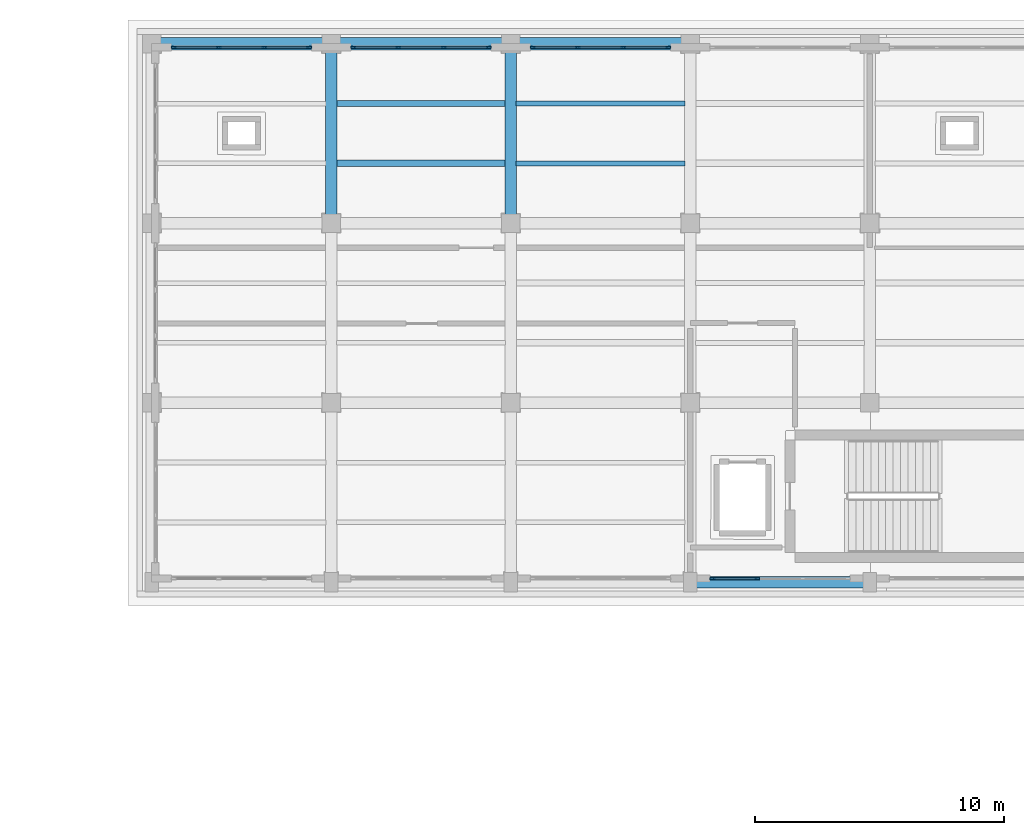
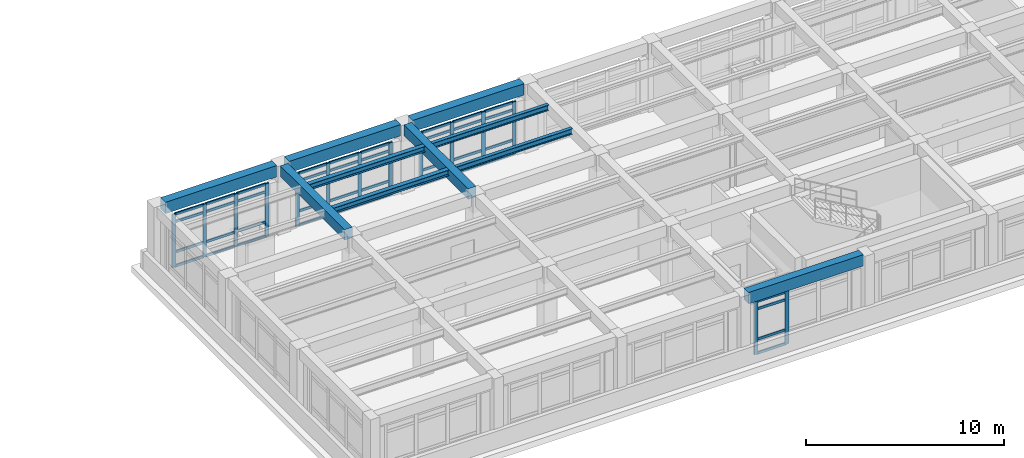
# One storey, part 24 of 67: 54 members, 10 beams, 4 elements without a shape of their own.
"""IFC4 building model written with IfcOpenShell, lengths in metres."""

from ifc_helpers import new_model, si_unit, direction, frame, origin, origin_2d, place, context, subcontext, project, spatial, rectangle, i_section, extrude, material, layer, layer_set, material_profile, profile_set, type_object, element, aggregate, save


model = new_model("IFC4")

# Units and contexts
model_context = context("Model", 3, precision=1e-05, world=origin(), true_north=direction((0.0, 1.0)))
body_context = subcontext(model_context, "Body", "Model", "MODEL_VIEW")
ifc_project = project(units=[si_unit("LENGTHUNIT", "METRE"), si_unit("AREAUNIT", "SQUARE_METRE"), si_unit("VOLUMEUNIT", "CUBIC_METRE"), si_unit("PLANEANGLEUNIT", "RADIAN"), si_unit("MASSUNIT", "GRAM", prefix="KILO")], contexts=[model_context])

# Site, building, storey
site_placement = place(None, origin())
site = spatial("IfcSite", under=ifc_project, at=site_placement, CompositionType="ELEMENT")
building_placement = place(site_placement, origin())
building = spatial("IfcBuilding", under=site, at=building_placement, Name="Solenvale Faculty of Natural Sciences", CompositionType="ELEMENT")
storey_placement = place(building_placement, frame((0.0, 0.0, 13.5)))
storey = spatial("IfcBuildingStorey", under=building, at=storey_placement, Name="L03", CompositionType="ELEMENT", Elevation=13.5)

# Beams
ifc_material_1 = material(Name="Concrete 40 MPa", Category="concrete")
ifc_material_profile_1 = material_profile(ifc_material_1, rectangle(XDim=0.449951171875, YDim=0.64990234375, at=origin_2d()), Name="RC-BM-450x650")
ifc_profile_set_1 = profile_set([ifc_material_profile_1], Name="Concrete 40 MPa")
beam_type_1 = type_object("IfcBeamType", Name="BM-RC-450x650", PredefinedType="BEAM", material=ifc_profile_set_1)
for number, where, z_axis, x_axis, name in (
    (1, (86.39990234375, 108.35498046875, 3.89501953125), (0.0, 1.0, 0.0), (-1.0, 0.0, 0.0), "L03 Y-Girder X86.4 (108.0..115.2)"),
    (2, (93.60009765625, 108.35498046875, 3.89501953125), (0.0, 1.0, 0.0), (-1.0, 0.0, 0.0), "L03 Y-Girder X93.6 (108.0..115.2)"),
):
    element("IfcBeam", number, at=place(storey_placement, frame(where, z_axis=z_axis, x_axis=x_axis)), inside=storey, type_object=beam_type_1, Name=name, PredefinedType="BEAM", context=body_context, shape_type="SweptSolid", body=[
        extrude(rectangle(XDim=0.449951171875, YDim=0.64990234375, at=origin_2d()), origin(), (0.0, 0.0, 1.0), 6.489990234375),
    ])
ifc_material_profile_2 = material_profile(ifc_material_1, rectangle(XDim=0.449951171875, YDim=0.699951171875, at=origin_2d()), Name="RC-BM-450x700")
ifc_profile_set_2 = profile_set([ifc_material_profile_2], Name="Concrete 40 MPa")
beam_type_2 = type_object("IfcBeamType", Name="BM-RC-450x700", PredefinedType="BEAM", material=ifc_profile_set_2)
beam_1_placement = place(storey_placement, frame((101.054931640625, 93.60009765625, 3.8701171875), z_axis=(1.0, 0.0, 0.0), x_axis=(0.0, 1.0, 0.0)))
element("IfcBeam", 3, at=beam_1_placement, inside=storey, type_object=beam_type_2, Name="L03 X-Girder Y93.6 (100.8..108.0)", PredefinedType="BEAM", context=body_context, shape_type="SweptSolid", body=[
    extrude(rectangle(XDim=0.449951171875, YDim=0.699951171875, at=origin_2d()), origin(), (0.0, 0.0, 1.0), 6.690185546875),
])
ifc_material_2 = material(Name="Precast concrete 40 MPa", Category="concrete")
ifc_material_profile_3 = material_profile(ifc_material_2, rectangle(XDim=0.5, YDim=0.699951171875, at=origin_2d()), Name="RC-BM-500x700")
ifc_profile_set_3 = profile_set([ifc_material_profile_3], Name="Precast concrete 40 MPa")
beam_type_3 = type_object("IfcBeamType", Name="BM-SPN-PRC-700", PredefinedType="SPANDREL", material=ifc_profile_set_3)
beam_2_placement = place(storey_placement, frame((79.554931640625, 115.199951171875, 3.8701171875), z_axis=(1.0, 0.0, 0.0), x_axis=(0.0, 1.0, 0.0)))
element("IfcBeam", 4, at=beam_2_placement, inside=storey, type_object=beam_type_3, Name="L03 X-Girder Y115.2 (79.2..86.4)", PredefinedType="SPANDREL", context=body_context, shape_type="SweptSolid", body=[
    extrude(rectangle(XDim=0.5, YDim=0.699951171875, at=origin_2d()), origin(), (0.0, 0.0, 1.0), 6.489990234375),
])
beam_3_placement = place(storey_placement, frame((86.7548828125, 115.199951171875, 3.8701171875), z_axis=(1.0, 0.0, 0.0), x_axis=(0.0, 1.0, 0.0)))
element("IfcBeam", 5, at=beam_3_placement, inside=storey, type_object=beam_type_3, Name="L03 X-Girder Y115.2 (86.4..93.6)", PredefinedType="SPANDREL", context=body_context, shape_type="SweptSolid", body=[
    extrude(rectangle(XDim=0.5, YDim=0.699951171875, at=origin_2d()), origin(), (0.0, 0.0, 1.0), 6.490234375),
])
beam_4_placement = place(storey_placement, frame((93.955078125, 115.199951171875, 3.8701171875), z_axis=(1.0, 0.0, 0.0), x_axis=(0.0, 1.0, 0.0)))
element("IfcBeam", 6, at=beam_4_placement, inside=storey, type_object=beam_type_3, Name="L03 X-Girder Y115.2 (93.6..100.8)", PredefinedType="SPANDREL", context=body_context, shape_type="SweptSolid", body=[
    extrude(rectangle(XDim=0.5, YDim=0.699951171875, at=origin_2d()), origin(), (0.0, 0.0, 1.0), 6.489990234375),
])
ifc_material_3 = material(Name="Steel S355", Category="steel")
ifc_material_profile_4 = material_profile(ifc_material_3, i_section(OverallWidth=0.2548828125, OverallDepth=0.35693359375, WebThickness=0.010498046875, FlangeThickness=0.018310546875, FilletRadius=0.014892578125, at=origin_2d()), Name="W360x101")
ifc_profile_set_4 = profile_set([ifc_material_profile_4], Name="Steel S355")
beam_type_4 = type_object("IfcBeamType", Name="BM-STL-W360x101", PredefinedType="JOIST", material=ifc_profile_set_4)
for number, where, z_axis, x_axis, name in (
    (7, (86.60498046875, 110.39990234375, 4.04150390625), (1.0, 0.0, 0.0), (0.0, 1.0, 0.0), "L03 Composite Floor Joist (13,16).1"),
    (8, (86.60498046875, 112.800048828125, 4.04150390625), (1.0, 0.0, 0.0), (0.0, 1.0, 0.0), "L03 Composite Floor Joist (13,16).2"),
):
    element("IfcBeam", number, at=place(storey_placement, frame(where, z_axis=z_axis, x_axis=x_axis)), inside=storey, type_object=beam_type_4, Name=name, PredefinedType="JOIST", context=body_context, shape_type="SweptSolid", body=[
        extrude(i_section(OverallWidth=0.2548828125, OverallDepth=0.35693359375, WebThickness=0.010498046875, FlangeThickness=0.018310546875, FilletRadius=0.014892578125, at=origin_2d()), origin(), (0.0, 0.0, 1.0), 6.7900390625),
    ])
ifc_material_profile_5 = material_profile(ifc_material_3, i_section(OverallWidth=0.2041015625, OverallDepth=0.35009765625, WebThickness=0.008544921875, FlangeThickness=0.01513671875, FilletRadius=0.014892578125, at=origin_2d()), Name="W360x72")
ifc_profile_set_5 = profile_set([ifc_material_profile_5], Name="Steel S355")
beam_type_5 = type_object("IfcBeamType", Name="BM-STL-W360x72", PredefinedType="JOIST", material=ifc_profile_set_5)
for number, where, z_axis, x_axis, name in (
    (9, (93.804931640625, 110.39990234375, 4.044921875), (1.0, 0.0, 0.0), (0.0, 1.0, 0.0), "L03 Composite Floor Joist (14,16).1"),
    (10, (93.804931640625, 112.800048828125, 4.044921875), (1.0, 0.0, 0.0), (0.0, 1.0, 0.0), "L03 Composite Floor Joist (14,16).2"),
):
    element("IfcBeam", number, at=place(storey_placement, frame(where, z_axis=z_axis, x_axis=x_axis)), inside=storey, type_object=beam_type_5, Name=name, PredefinedType="JOIST", context=body_context, shape_type="SweptSolid", body=[
        extrude(i_section(OverallWidth=0.2041015625, OverallDepth=0.35009765625, WebThickness=0.008544921875, FlangeThickness=0.01513671875, FilletRadius=0.014892578125, at=origin_2d()), origin(), (0.0, 0.0, 1.0), 6.7900390625),
    ])

# Curtain wall, members
ifc_material_4 = material(Name="Anodised bronze aluminium", Category="aluminium")
ifc_layer = layer(ifc_material_4, 0.179931640625)
ifc_layer_set = layer_set([ifc_layer], Name="Anodised bronze aluminium")
curtain_wall_type = type_object("IfcCurtainWallType", Name="CW-TWR-MOD", PredefinedType="USERDEFINED", material=ifc_layer_set)
curtain_wall_1_placement = place(storey_placement, origin())
curtain_wall_1 = element("IfcCurtainWall", 11, at=curtain_wall_1_placement, inside=storey, type_object=curtain_wall_type, Name="L03 Curtain Wall CW-L03-P3-E4-B8", ObjectType="UNITISED CURTAIN WALL", PredefinedType="USERDEFINED")
ifc_material_profile_6 = material_profile(ifc_material_4, rectangle(XDim=0.074951171875, YDim=0.2099609375, at=origin_2d()), Name="ALU-MUL-75x210")
ifc_profile_set_6 = profile_set([ifc_material_profile_6], Name="Anodised bronze aluminium")
member_type_1 = type_object("IfcMemberType", Name="CWM-ALU-75x210", PredefinedType="MULLION", material=ifc_profile_set_6)
member_1_placement = place(storey_placement, frame((99.91259765625, 115.0576171875, 0.0), z_axis=(0.0, 0.0, 1.0), x_axis=(0.0, -1.0, 0.0)))
member_1 = element("IfcMember", 12, at=member_1_placement, type_object=member_type_1, Name="CW-04 mullion 1", PredefinedType="MULLION", context=body_context, shape_type="SweptSolid", body=[
    extrude(rectangle(XDim=0.074951171875, YDim=0.2099609375, at=origin_2d()), origin(), (0.0, 0.0, 1.0), 3.260009765625),
])
member_2_placement = place(storey_placement, frame((98.11669921875, 115.0576171875, 0.0), z_axis=(0.0, 0.0, 1.0), x_axis=(0.0, -1.0, 0.0)))
member_2 = element("IfcMember", 13, at=member_2_placement, type_object=member_type_1, Name="CW-04 mullion 2", PredefinedType="MULLION", context=body_context, shape_type="SweptSolid", body=[
    extrude(rectangle(XDim=0.074951171875, YDim=0.2099609375, at=origin_2d()), origin(), (0.0, 0.0, 1.0), 3.260009765625),
])
member_3_placement = place(storey_placement, frame((96.283447265625, 115.0576171875, 0.0), z_axis=(0.0, 0.0, 1.0), x_axis=(0.0, -1.0, 0.0)))
member_3 = element("IfcMember", 14, at=member_3_placement, type_object=member_type_1, Name="CW-04 mullion 3", PredefinedType="MULLION", context=body_context, shape_type="SweptSolid", body=[
    extrude(rectangle(XDim=0.074951171875, YDim=0.2099609375, at=origin_2d()), origin(), (0.0, 0.0, 1.0), 3.260009765625),
])
member_4_placement = place(storey_placement, frame((94.487548828125, 115.0576171875, 0.0), z_axis=(0.0, 0.0, 1.0), x_axis=(0.0, -1.0, 0.0)))
member_4 = element("IfcMember", 15, at=member_4_placement, type_object=member_type_1, Name="CW-04 mullion 4", PredefinedType="MULLION", context=body_context, shape_type="SweptSolid", body=[
    extrude(rectangle(XDim=0.074951171875, YDim=0.2099609375, at=origin_2d()), origin(), (0.0, 0.0, 1.0), 3.260009765625),
])

curtain_wall_2_placement = place(storey_placement, origin())
curtain_wall_2 = element("IfcCurtainWall", 16, at=curtain_wall_2_placement, inside=storey, type_object=curtain_wall_type, Name="L03 Curtain Wall CW-L03-P3-E4-B9", ObjectType="UNITISED CURTAIN WALL", PredefinedType="USERDEFINED")
member_5_placement = place(storey_placement, frame((92.71240234375, 115.0576171875, 0.0), z_axis=(0.0, 0.0, 1.0), x_axis=(0.0, -1.0, 0.0)))
member_5 = element("IfcMember", 17, at=member_5_placement, type_object=member_type_1, Name="CW-04 mullion 1", PredefinedType="MULLION", context=body_context, shape_type="SweptSolid", body=[
    extrude(rectangle(XDim=0.074951171875, YDim=0.2099609375, at=origin_2d()), origin(), (0.0, 0.0, 1.0), 3.260009765625),
])
member_6_placement = place(storey_placement, frame((90.916748046875, 115.0576171875, 0.0), z_axis=(0.0, 0.0, 1.0), x_axis=(0.0, -1.0, 0.0)))
member_6 = element("IfcMember", 18, at=member_6_placement, type_object=member_type_1, Name="CW-04 mullion 2", PredefinedType="MULLION", context=body_context, shape_type="SweptSolid", body=[
    extrude(rectangle(XDim=0.074951171875, YDim=0.2099609375, at=origin_2d()), origin(), (0.0, 0.0, 1.0), 3.260009765625),
])
member_7_placement = place(storey_placement, frame((89.083251953125, 115.0576171875, 0.0), z_axis=(0.0, 0.0, 1.0), x_axis=(0.0, -1.0, 0.0)))
member_7 = element("IfcMember", 19, at=member_7_placement, type_object=member_type_1, Name="CW-04 mullion 3", PredefinedType="MULLION", context=body_context, shape_type="SweptSolid", body=[
    extrude(rectangle(XDim=0.074951171875, YDim=0.2099609375, at=origin_2d()), origin(), (0.0, 0.0, 1.0), 3.260009765625),
])
member_8_placement = place(storey_placement, frame((87.28759765625, 115.0576171875, 0.0), z_axis=(0.0, 0.0, 1.0), x_axis=(0.0, -1.0, 0.0)))
member_8 = element("IfcMember", 20, at=member_8_placement, type_object=member_type_1, Name="CW-04 mullion 4", PredefinedType="MULLION", context=body_context, shape_type="SweptSolid", body=[
    extrude(rectangle(XDim=0.074951171875, YDim=0.2099609375, at=origin_2d()), origin(), (0.0, 0.0, 1.0), 3.260009765625),
])

curtain_wall_3_placement = place(storey_placement, origin())
curtain_wall_3 = element("IfcCurtainWall", 21, at=curtain_wall_3_placement, inside=storey, type_object=curtain_wall_type, Name="L03 Curtain Wall CW-L03-P3-E4-B10", ObjectType="UNITISED CURTAIN WALL", PredefinedType="USERDEFINED")
member_9_placement = place(storey_placement, frame((85.512451171875, 115.0576171875, 0.0), z_axis=(0.0, 0.0, 1.0), x_axis=(0.0, -1.0, 0.0)))
member_9 = element("IfcMember", 22, at=member_9_placement, type_object=member_type_1, Name="CW-04 mullion 1", PredefinedType="MULLION", context=body_context, shape_type="SweptSolid", body=[
    extrude(rectangle(XDim=0.074951171875, YDim=0.2099609375, at=origin_2d()), origin(), (0.0, 0.0, 1.0), 3.260009765625),
])
member_10_placement = place(storey_placement, frame((83.716552734375, 115.0576171875, 0.0), z_axis=(0.0, 0.0, 1.0), x_axis=(0.0, -1.0, 0.0)))
member_10 = element("IfcMember", 23, at=member_10_placement, type_object=member_type_1, Name="CW-04 mullion 2", PredefinedType="MULLION", context=body_context, shape_type="SweptSolid", body=[
    extrude(rectangle(XDim=0.074951171875, YDim=0.2099609375, at=origin_2d()), origin(), (0.0, 0.0, 1.0), 3.260009765625),
])
member_11_placement = place(storey_placement, frame((81.88330078125, 115.0576171875, 0.0), z_axis=(0.0, 0.0, 1.0), x_axis=(0.0, -1.0, 0.0)))
member_11 = element("IfcMember", 24, at=member_11_placement, type_object=member_type_1, Name="CW-04 mullion 3", PredefinedType="MULLION", context=body_context, shape_type="SweptSolid", body=[
    extrude(rectangle(XDim=0.074951171875, YDim=0.2099609375, at=origin_2d()), origin(), (0.0, 0.0, 1.0), 3.260009765625),
])
member_12_placement = place(storey_placement, frame((80.08740234375, 115.0576171875, 0.0), z_axis=(0.0, 0.0, 1.0), x_axis=(0.0, -1.0, 0.0)))
member_12 = element("IfcMember", 25, at=member_12_placement, type_object=member_type_1, Name="CW-04 mullion 4", PredefinedType="MULLION", context=body_context, shape_type="SweptSolid", body=[
    extrude(rectangle(XDim=0.074951171875, YDim=0.2099609375, at=origin_2d()), origin(), (0.0, 0.0, 1.0), 3.260009765625),
])

curtain_wall_4_placement = place(storey_placement, origin())
curtain_wall_4 = element("IfcCurtainWall", 26, at=curtain_wall_4_placement, inside=storey, type_object=curtain_wall_type, Name="L03 Curtain Wall CW-L03-P3-E6-B4", ObjectType="UNITISED CURTAIN WALL", PredefinedType="USERDEFINED")
member_13_placement = place(storey_placement, frame((101.6875, 93.742431640625, 0.0), z_axis=(0.0, 0.0, 1.0), x_axis=(0.0, 1.0, 0.0)))
member_13 = element("IfcMember", 27, at=member_13_placement, type_object=member_type_1, Name="CW-04 mullion 1", PredefinedType="MULLION", context=body_context, shape_type="SweptSolid", body=[
    extrude(rectangle(XDim=0.074951171875, YDim=0.2099609375, at=origin_2d()), origin(), (0.0, 0.0, 1.0), 3.260009765625),
])
member_14_placement = place(storey_placement, frame((103.4833984375, 93.742431640625, 0.0), z_axis=(0.0, 0.0, 1.0), x_axis=(0.0, 1.0, 0.0)))
member_14 = element("IfcMember", 28, at=member_14_placement, type_object=member_type_1, Name="CW-04 mullion 2", PredefinedType="MULLION", context=body_context, shape_type="SweptSolid", body=[
    extrude(rectangle(XDim=0.074951171875, YDim=0.2099609375, at=origin_2d()), origin(), (0.0, 0.0, 1.0), 3.260009765625),
])

# Member
ifc_material_profile_7 = material_profile(ifc_material_4, rectangle(XDim=0.074951171875, YDim=0.155029296875, at=origin_2d()), Name="ALU-TRN-75x155")
ifc_profile_set_7 = profile_set([ifc_material_profile_7], Name="Anodised bronze aluminium")
member_type_2 = type_object("IfcMemberType", Name="CWT-ALU-75x155", PredefinedType="USERDEFINED", material=ifc_profile_set_7)
member_15_placement = place(storey_placement, frame((99.875, 115.0576171875, 0.03759765625), z_axis=(-1.0, 0.0, 0.0), x_axis=(0.0, -1.0, 0.0)))
member_15 = element("IfcMember", 29, at=member_15_placement, type_object=member_type_2, Name="CW-04 transom 1.1", ObjectType="TRANSOM", PredefinedType="USERDEFINED", context=body_context, shape_type="SweptSolid", body=[
    extrude(rectangle(XDim=0.074951171875, YDim=0.155029296875, at=origin_2d()), origin(), (0.0, 0.0, 1.0), 1.720947265625),
])

member_16_placement = place(storey_placement, frame((99.875, 115.0576171875, 0.89990234375), z_axis=(-1.0, 0.0, 0.0), x_axis=(0.0, -1.0, 0.0)))
member_16 = element("IfcMember", 30, at=member_16_placement, type_object=member_type_2, Name="CW-04 transom 1.2", ObjectType="TRANSOM", PredefinedType="USERDEFINED", context=body_context, shape_type="SweptSolid", body=[
    extrude(rectangle(XDim=0.074951171875, YDim=0.155029296875, at=origin_2d()), origin(), (0.0, 0.0, 1.0), 1.720947265625),
])

member_17_placement = place(storey_placement, frame((99.875, 115.0576171875, 2.760009765625), z_axis=(-1.0, 0.0, 0.0), x_axis=(0.0, -1.0, 0.0)))
member_17 = element("IfcMember", 31, at=member_17_placement, type_object=member_type_2, Name="CW-04 transom 1.3", ObjectType="TRANSOM", PredefinedType="USERDEFINED", context=body_context, shape_type="SweptSolid", body=[
    extrude(rectangle(XDim=0.074951171875, YDim=0.155029296875, at=origin_2d()), origin(), (0.0, 0.0, 1.0), 1.720947265625),
])

member_18_placement = place(storey_placement, frame((99.875, 115.0576171875, 3.222412109375), z_axis=(-1.0, 0.0, 0.0), x_axis=(0.0, -1.0, 0.0)))
member_18 = element("IfcMember", 32, at=member_18_placement, type_object=member_type_2, Name="CW-04 transom 1.4", ObjectType="TRANSOM", PredefinedType="USERDEFINED", context=body_context, shape_type="SweptSolid", body=[
    extrude(rectangle(XDim=0.074951171875, YDim=0.155029296875, at=origin_2d()), origin(), (0.0, 0.0, 1.0), 1.720947265625),
])

member_19_placement = place(storey_placement, frame((98.0791015625, 115.0576171875, 0.03759765625), z_axis=(-1.0, 0.0, 0.0), x_axis=(0.0, -1.0, 0.0)))
member_19 = element("IfcMember", 33, at=member_19_placement, type_object=member_type_2, Name="CW-04 transom 2.1", ObjectType="TRANSOM", PredefinedType="USERDEFINED", context=body_context, shape_type="SweptSolid", body=[
    extrude(rectangle(XDim=0.074951171875, YDim=0.155029296875, at=origin_2d()), origin(), (0.0, 0.0, 1.0), 1.75830078125),
])

member_20_placement = place(storey_placement, frame((98.0791015625, 115.0576171875, 0.89990234375), z_axis=(-1.0, 0.0, 0.0), x_axis=(0.0, -1.0, 0.0)))
member_20 = element("IfcMember", 34, at=member_20_placement, type_object=member_type_2, Name="CW-04 transom 2.2", ObjectType="TRANSOM", PredefinedType="USERDEFINED", context=body_context, shape_type="SweptSolid", body=[
    extrude(rectangle(XDim=0.074951171875, YDim=0.155029296875, at=origin_2d()), origin(), (0.0, 0.0, 1.0), 1.75830078125),
])

member_21_placement = place(storey_placement, frame((98.0791015625, 115.0576171875, 2.760009765625), z_axis=(-1.0, 0.0, 0.0), x_axis=(0.0, -1.0, 0.0)))
member_21 = element("IfcMember", 35, at=member_21_placement, type_object=member_type_2, Name="CW-04 transom 2.3", ObjectType="TRANSOM", PredefinedType="USERDEFINED", context=body_context, shape_type="SweptSolid", body=[
    extrude(rectangle(XDim=0.074951171875, YDim=0.155029296875, at=origin_2d()), origin(), (0.0, 0.0, 1.0), 1.75830078125),
])

member_22_placement = place(storey_placement, frame((98.0791015625, 115.0576171875, 3.222412109375), z_axis=(-1.0, 0.0, 0.0), x_axis=(0.0, -1.0, 0.0)))
member_22 = element("IfcMember", 36, at=member_22_placement, type_object=member_type_2, Name="CW-04 transom 2.4", ObjectType="TRANSOM", PredefinedType="USERDEFINED", context=body_context, shape_type="SweptSolid", body=[
    extrude(rectangle(XDim=0.074951171875, YDim=0.155029296875, at=origin_2d()), origin(), (0.0, 0.0, 1.0), 1.75830078125),
])

member_23_placement = place(storey_placement, frame((96.245849609375, 115.0576171875, 0.03759765625), z_axis=(-1.0, 0.0, 0.0), x_axis=(0.0, -1.0, 0.0)))
member_23 = element("IfcMember", 37, at=member_23_placement, type_object=member_type_2, Name="CW-04 transom 3.1", ObjectType="TRANSOM", PredefinedType="USERDEFINED", context=body_context, shape_type="SweptSolid", body=[
    extrude(rectangle(XDim=0.074951171875, YDim=0.155029296875, at=origin_2d()), origin(), (0.0, 0.0, 1.0), 1.720947265625),
])

member_24_placement = place(storey_placement, frame((96.245849609375, 115.0576171875, 0.89990234375), z_axis=(-1.0, 0.0, 0.0), x_axis=(0.0, -1.0, 0.0)))
member_24 = element("IfcMember", 38, at=member_24_placement, type_object=member_type_2, Name="CW-04 transom 3.2", ObjectType="TRANSOM", PredefinedType="USERDEFINED", context=body_context, shape_type="SweptSolid", body=[
    extrude(rectangle(XDim=0.074951171875, YDim=0.155029296875, at=origin_2d()), origin(), (0.0, 0.0, 1.0), 1.720947265625),
])

member_25_placement = place(storey_placement, frame((96.245849609375, 115.0576171875, 2.760009765625), z_axis=(-1.0, 0.0, 0.0), x_axis=(0.0, -1.0, 0.0)))
member_25 = element("IfcMember", 39, at=member_25_placement, type_object=member_type_2, Name="CW-04 transom 3.3", ObjectType="TRANSOM", PredefinedType="USERDEFINED", context=body_context, shape_type="SweptSolid", body=[
    extrude(rectangle(XDim=0.074951171875, YDim=0.155029296875, at=origin_2d()), origin(), (0.0, 0.0, 1.0), 1.720947265625),
])

member_26_placement = place(storey_placement, frame((96.245849609375, 115.0576171875, 3.222412109375), z_axis=(-1.0, 0.0, 0.0), x_axis=(0.0, -1.0, 0.0)))
member_26 = element("IfcMember", 40, at=member_26_placement, type_object=member_type_2, Name="CW-04 transom 3.4", ObjectType="TRANSOM", PredefinedType="USERDEFINED", context=body_context, shape_type="SweptSolid", body=[
    extrude(rectangle(XDim=0.074951171875, YDim=0.155029296875, at=origin_2d()), origin(), (0.0, 0.0, 1.0), 1.720947265625),
])

aggregate(curtain_wall_1, [member_1, member_2, member_3, member_4, member_15, member_16, member_17, member_18, member_19, member_20, member_21, member_22, member_23, member_24, member_25, member_26])

member_27_placement = place(storey_placement, frame((92.675048828125, 115.0576171875, 0.03759765625), z_axis=(-1.0, 0.0, 0.0), x_axis=(0.0, -1.0, 0.0)))
member_27 = element("IfcMember", 41, at=member_27_placement, type_object=member_type_2, Name="CW-04 transom 1.1", ObjectType="TRANSOM", PredefinedType="USERDEFINED", context=body_context, shape_type="SweptSolid", body=[
    extrude(rectangle(XDim=0.074951171875, YDim=0.155029296875, at=origin_2d()), origin(), (0.0, 0.0, 1.0), 1.720947265625),
])

member_28_placement = place(storey_placement, frame((92.675048828125, 115.0576171875, 0.89990234375), z_axis=(-1.0, 0.0, 0.0), x_axis=(0.0, -1.0, 0.0)))
member_28 = element("IfcMember", 42, at=member_28_placement, type_object=member_type_2, Name="CW-04 transom 1.2", ObjectType="TRANSOM", PredefinedType="USERDEFINED", context=body_context, shape_type="SweptSolid", body=[
    extrude(rectangle(XDim=0.074951171875, YDim=0.155029296875, at=origin_2d()), origin(), (0.0, 0.0, 1.0), 1.720947265625),
])

member_29_placement = place(storey_placement, frame((92.675048828125, 115.0576171875, 2.760009765625), z_axis=(-1.0, 0.0, 0.0), x_axis=(0.0, -1.0, 0.0)))
member_29 = element("IfcMember", 43, at=member_29_placement, type_object=member_type_2, Name="CW-04 transom 1.3", ObjectType="TRANSOM", PredefinedType="USERDEFINED", context=body_context, shape_type="SweptSolid", body=[
    extrude(rectangle(XDim=0.074951171875, YDim=0.155029296875, at=origin_2d()), origin(), (0.0, 0.0, 1.0), 1.720947265625),
])

member_30_placement = place(storey_placement, frame((92.675048828125, 115.0576171875, 3.222412109375), z_axis=(-1.0, 0.0, 0.0), x_axis=(0.0, -1.0, 0.0)))
member_30 = element("IfcMember", 44, at=member_30_placement, type_object=member_type_2, Name="CW-04 transom 1.4", ObjectType="TRANSOM", PredefinedType="USERDEFINED", context=body_context, shape_type="SweptSolid", body=[
    extrude(rectangle(XDim=0.074951171875, YDim=0.155029296875, at=origin_2d()), origin(), (0.0, 0.0, 1.0), 1.720947265625),
])

member_31_placement = place(storey_placement, frame((90.879150390625, 115.0576171875, 0.03759765625), z_axis=(-1.0, 0.0, 0.0), x_axis=(0.0, -1.0, 0.0)))
member_31 = element("IfcMember", 45, at=member_31_placement, type_object=member_type_2, Name="CW-04 transom 2.1", ObjectType="TRANSOM", PredefinedType="USERDEFINED", context=body_context, shape_type="SweptSolid", body=[
    extrude(rectangle(XDim=0.074951171875, YDim=0.155029296875, at=origin_2d()), origin(), (0.0, 0.0, 1.0), 1.75830078125),
])

member_32_placement = place(storey_placement, frame((90.879150390625, 115.0576171875, 0.89990234375), z_axis=(-1.0, 0.0, 0.0), x_axis=(0.0, -1.0, 0.0)))
member_32 = element("IfcMember", 46, at=member_32_placement, type_object=member_type_2, Name="CW-04 transom 2.2", ObjectType="TRANSOM", PredefinedType="USERDEFINED", context=body_context, shape_type="SweptSolid", body=[
    extrude(rectangle(XDim=0.074951171875, YDim=0.155029296875, at=origin_2d()), origin(), (0.0, 0.0, 1.0), 1.75830078125),
])

member_33_placement = place(storey_placement, frame((90.879150390625, 115.0576171875, 2.760009765625), z_axis=(-1.0, 0.0, 0.0), x_axis=(0.0, -1.0, 0.0)))
member_33 = element("IfcMember", 47, at=member_33_placement, type_object=member_type_2, Name="CW-04 transom 2.3", ObjectType="TRANSOM", PredefinedType="USERDEFINED", context=body_context, shape_type="SweptSolid", body=[
    extrude(rectangle(XDim=0.074951171875, YDim=0.155029296875, at=origin_2d()), origin(), (0.0, 0.0, 1.0), 1.75830078125),
])

member_34_placement = place(storey_placement, frame((90.879150390625, 115.0576171875, 3.222412109375), z_axis=(-1.0, 0.0, 0.0), x_axis=(0.0, -1.0, 0.0)))
member_34 = element("IfcMember", 48, at=member_34_placement, type_object=member_type_2, Name="CW-04 transom 2.4", ObjectType="TRANSOM", PredefinedType="USERDEFINED", context=body_context, shape_type="SweptSolid", body=[
    extrude(rectangle(XDim=0.074951171875, YDim=0.155029296875, at=origin_2d()), origin(), (0.0, 0.0, 1.0), 1.75830078125),
])

member_35_placement = place(storey_placement, frame((89.0458984375, 115.0576171875, 0.03759765625), z_axis=(-1.0, 0.0, 0.0), x_axis=(0.0, -1.0, 0.0)))
member_35 = element("IfcMember", 49, at=member_35_placement, type_object=member_type_2, Name="CW-04 transom 3.1", ObjectType="TRANSOM", PredefinedType="USERDEFINED", context=body_context, shape_type="SweptSolid", body=[
    extrude(rectangle(XDim=0.074951171875, YDim=0.155029296875, at=origin_2d()), origin(), (0.0, 0.0, 1.0), 1.720947265625),
])

member_36_placement = place(storey_placement, frame((89.0458984375, 115.0576171875, 0.89990234375), z_axis=(-1.0, 0.0, 0.0), x_axis=(0.0, -1.0, 0.0)))
member_36 = element("IfcMember", 50, at=member_36_placement, type_object=member_type_2, Name="CW-04 transom 3.2", ObjectType="TRANSOM", PredefinedType="USERDEFINED", context=body_context, shape_type="SweptSolid", body=[
    extrude(rectangle(XDim=0.074951171875, YDim=0.155029296875, at=origin_2d()), origin(), (0.0, 0.0, 1.0), 1.720947265625),
])

member_37_placement = place(storey_placement, frame((89.0458984375, 115.0576171875, 2.760009765625), z_axis=(-1.0, 0.0, 0.0), x_axis=(0.0, -1.0, 0.0)))
member_37 = element("IfcMember", 51, at=member_37_placement, type_object=member_type_2, Name="CW-04 transom 3.3", ObjectType="TRANSOM", PredefinedType="USERDEFINED", context=body_context, shape_type="SweptSolid", body=[
    extrude(rectangle(XDim=0.074951171875, YDim=0.155029296875, at=origin_2d()), origin(), (0.0, 0.0, 1.0), 1.720947265625),
])

member_38_placement = place(storey_placement, frame((89.0458984375, 115.0576171875, 3.222412109375), z_axis=(-1.0, 0.0, 0.0), x_axis=(0.0, -1.0, 0.0)))
member_38 = element("IfcMember", 52, at=member_38_placement, type_object=member_type_2, Name="CW-04 transom 3.4", ObjectType="TRANSOM", PredefinedType="USERDEFINED", context=body_context, shape_type="SweptSolid", body=[
    extrude(rectangle(XDim=0.074951171875, YDim=0.155029296875, at=origin_2d()), origin(), (0.0, 0.0, 1.0), 1.720947265625),
])

aggregate(curtain_wall_2, [member_5, member_6, member_7, member_8, member_27, member_28, member_29, member_30, member_31, member_32, member_33, member_34, member_35, member_36, member_37, member_38])

member_39_placement = place(storey_placement, frame((85.47509765625, 115.0576171875, 0.03759765625), z_axis=(-1.0, 0.0, 0.0), x_axis=(0.0, -1.0, 0.0)))
member_39 = element("IfcMember", 53, at=member_39_placement, type_object=member_type_2, Name="CW-04 transom 1.1", ObjectType="TRANSOM", PredefinedType="USERDEFINED", context=body_context, shape_type="SweptSolid", body=[
    extrude(rectangle(XDim=0.074951171875, YDim=0.155029296875, at=origin_2d()), origin(), (0.0, 0.0, 1.0), 1.720947265625),
])

member_40_placement = place(storey_placement, frame((85.47509765625, 115.0576171875, 0.89990234375), z_axis=(-1.0, 0.0, 0.0), x_axis=(0.0, -1.0, 0.0)))
member_40 = element("IfcMember", 54, at=member_40_placement, type_object=member_type_2, Name="CW-04 transom 1.2", ObjectType="TRANSOM", PredefinedType="USERDEFINED", context=body_context, shape_type="SweptSolid", body=[
    extrude(rectangle(XDim=0.074951171875, YDim=0.155029296875, at=origin_2d()), origin(), (0.0, 0.0, 1.0), 1.720947265625),
])

member_41_placement = place(storey_placement, frame((85.47509765625, 115.0576171875, 2.760009765625), z_axis=(-1.0, 0.0, 0.0), x_axis=(0.0, -1.0, 0.0)))
member_41 = element("IfcMember", 55, at=member_41_placement, type_object=member_type_2, Name="CW-04 transom 1.3", ObjectType="TRANSOM", PredefinedType="USERDEFINED", context=body_context, shape_type="SweptSolid", body=[
    extrude(rectangle(XDim=0.074951171875, YDim=0.155029296875, at=origin_2d()), origin(), (0.0, 0.0, 1.0), 1.720947265625),
])

member_42_placement = place(storey_placement, frame((85.47509765625, 115.0576171875, 3.222412109375), z_axis=(-1.0, 0.0, 0.0), x_axis=(0.0, -1.0, 0.0)))
member_42 = element("IfcMember", 56, at=member_42_placement, type_object=member_type_2, Name="CW-04 transom 1.4", ObjectType="TRANSOM", PredefinedType="USERDEFINED", context=body_context, shape_type="SweptSolid", body=[
    extrude(rectangle(XDim=0.074951171875, YDim=0.155029296875, at=origin_2d()), origin(), (0.0, 0.0, 1.0), 1.720947265625),
])

member_43_placement = place(storey_placement, frame((83.67919921875, 115.0576171875, 0.03759765625), z_axis=(-1.0, 0.0, 0.0), x_axis=(0.0, -1.0, 0.0)))
member_43 = element("IfcMember", 57, at=member_43_placement, type_object=member_type_2, Name="CW-04 transom 2.1", ObjectType="TRANSOM", PredefinedType="USERDEFINED", context=body_context, shape_type="SweptSolid", body=[
    extrude(rectangle(XDim=0.074951171875, YDim=0.155029296875, at=origin_2d()), origin(), (0.0, 0.0, 1.0), 1.75830078125),
])

member_44_placement = place(storey_placement, frame((83.67919921875, 115.0576171875, 0.89990234375), z_axis=(-1.0, 0.0, 0.0), x_axis=(0.0, -1.0, 0.0)))
member_44 = element("IfcMember", 58, at=member_44_placement, type_object=member_type_2, Name="CW-04 transom 2.2", ObjectType="TRANSOM", PredefinedType="USERDEFINED", context=body_context, shape_type="SweptSolid", body=[
    extrude(rectangle(XDim=0.074951171875, YDim=0.155029296875, at=origin_2d()), origin(), (0.0, 0.0, 1.0), 1.75830078125),
])

member_45_placement = place(storey_placement, frame((83.67919921875, 115.0576171875, 2.760009765625), z_axis=(-1.0, 0.0, 0.0), x_axis=(0.0, -1.0, 0.0)))
member_45 = element("IfcMember", 59, at=member_45_placement, type_object=member_type_2, Name="CW-04 transom 2.3", ObjectType="TRANSOM", PredefinedType="USERDEFINED", context=body_context, shape_type="SweptSolid", body=[
    extrude(rectangle(XDim=0.074951171875, YDim=0.155029296875, at=origin_2d()), origin(), (0.0, 0.0, 1.0), 1.75830078125),
])

member_46_placement = place(storey_placement, frame((83.67919921875, 115.0576171875, 3.222412109375), z_axis=(-1.0, 0.0, 0.0), x_axis=(0.0, -1.0, 0.0)))
member_46 = element("IfcMember", 60, at=member_46_placement, type_object=member_type_2, Name="CW-04 transom 2.4", ObjectType="TRANSOM", PredefinedType="USERDEFINED", context=body_context, shape_type="SweptSolid", body=[
    extrude(rectangle(XDim=0.074951171875, YDim=0.155029296875, at=origin_2d()), origin(), (0.0, 0.0, 1.0), 1.75830078125),
])

member_47_placement = place(storey_placement, frame((81.845947265625, 115.0576171875, 0.03759765625), z_axis=(-1.0, 0.0, 0.0), x_axis=(0.0, -1.0, 0.0)))
member_47 = element("IfcMember", 61, at=member_47_placement, type_object=member_type_2, Name="CW-04 transom 3.1", ObjectType="TRANSOM", PredefinedType="USERDEFINED", context=body_context, shape_type="SweptSolid", body=[
    extrude(rectangle(XDim=0.074951171875, YDim=0.155029296875, at=origin_2d()), origin(), (0.0, 0.0, 1.0), 1.720947265625),
])

member_48_placement = place(storey_placement, frame((81.845947265625, 115.0576171875, 0.89990234375), z_axis=(-1.0, 0.0, 0.0), x_axis=(0.0, -1.0, 0.0)))
member_48 = element("IfcMember", 62, at=member_48_placement, type_object=member_type_2, Name="CW-04 transom 3.2", ObjectType="TRANSOM", PredefinedType="USERDEFINED", context=body_context, shape_type="SweptSolid", body=[
    extrude(rectangle(XDim=0.074951171875, YDim=0.155029296875, at=origin_2d()), origin(), (0.0, 0.0, 1.0), 1.720947265625),
])

member_49_placement = place(storey_placement, frame((81.845947265625, 115.0576171875, 2.760009765625), z_axis=(-1.0, 0.0, 0.0), x_axis=(0.0, -1.0, 0.0)))
member_49 = element("IfcMember", 63, at=member_49_placement, type_object=member_type_2, Name="CW-04 transom 3.3", ObjectType="TRANSOM", PredefinedType="USERDEFINED", context=body_context, shape_type="SweptSolid", body=[
    extrude(rectangle(XDim=0.074951171875, YDim=0.155029296875, at=origin_2d()), origin(), (0.0, 0.0, 1.0), 1.720947265625),
])

member_50_placement = place(storey_placement, frame((81.845947265625, 115.0576171875, 3.222412109375), z_axis=(-1.0, 0.0, 0.0), x_axis=(0.0, -1.0, 0.0)))
member_50 = element("IfcMember", 64, at=member_50_placement, type_object=member_type_2, Name="CW-04 transom 3.4", ObjectType="TRANSOM", PredefinedType="USERDEFINED", context=body_context, shape_type="SweptSolid", body=[
    extrude(rectangle(XDim=0.074951171875, YDim=0.155029296875, at=origin_2d()), origin(), (0.0, 0.0, 1.0), 1.720947265625),
])

aggregate(curtain_wall_3, [member_9, member_10, member_11, member_12, member_39, member_40, member_41, member_42, member_43, member_44, member_45, member_46, member_47, member_48, member_49, member_50])

member_51_placement = place(storey_placement, frame((101.72509765625, 93.742431640625, 0.03759765625), z_axis=(1.0, 0.0, 0.0), x_axis=(0.0, 1.0, 0.0)))
member_51 = element("IfcMember", 65, at=member_51_placement, type_object=member_type_2, Name="CW-04 transom 1.1", ObjectType="TRANSOM", PredefinedType="USERDEFINED", context=body_context, shape_type="SweptSolid", body=[
    extrude(rectangle(XDim=0.074951171875, YDim=0.155029296875, at=origin_2d()), origin(), (0.0, 0.0, 1.0), 1.720703125),
])

member_52_placement = place(storey_placement, frame((101.72509765625, 93.742431640625, 0.89990234375), z_axis=(1.0, 0.0, 0.0), x_axis=(0.0, 1.0, 0.0)))
member_52 = element("IfcMember", 66, at=member_52_placement, type_object=member_type_2, Name="CW-04 transom 1.2", ObjectType="TRANSOM", PredefinedType="USERDEFINED", context=body_context, shape_type="SweptSolid", body=[
    extrude(rectangle(XDim=0.074951171875, YDim=0.155029296875, at=origin_2d()), origin(), (0.0, 0.0, 1.0), 1.720703125),
])

member_53_placement = place(storey_placement, frame((101.72509765625, 93.742431640625, 2.760009765625), z_axis=(1.0, 0.0, 0.0), x_axis=(0.0, 1.0, 0.0)))
member_53 = element("IfcMember", 67, at=member_53_placement, type_object=member_type_2, Name="CW-04 transom 1.3", ObjectType="TRANSOM", PredefinedType="USERDEFINED", context=body_context, shape_type="SweptSolid", body=[
    extrude(rectangle(XDim=0.074951171875, YDim=0.155029296875, at=origin_2d()), origin(), (0.0, 0.0, 1.0), 1.720703125),
])

member_54_placement = place(storey_placement, frame((101.72509765625, 93.742431640625, 3.222412109375), z_axis=(1.0, 0.0, 0.0), x_axis=(0.0, 1.0, 0.0)))
member_54 = element("IfcMember", 68, at=member_54_placement, type_object=member_type_2, Name="CW-04 transom 1.4", ObjectType="TRANSOM", PredefinedType="USERDEFINED", context=body_context, shape_type="SweptSolid", body=[
    extrude(rectangle(XDim=0.074951171875, YDim=0.155029296875, at=origin_2d()), origin(), (0.0, 0.0, 1.0), 1.720703125),
])

aggregate(curtain_wall_4, [member_13, member_14, member_51, member_52, member_53, member_54])

save(model, "model.ifc")
